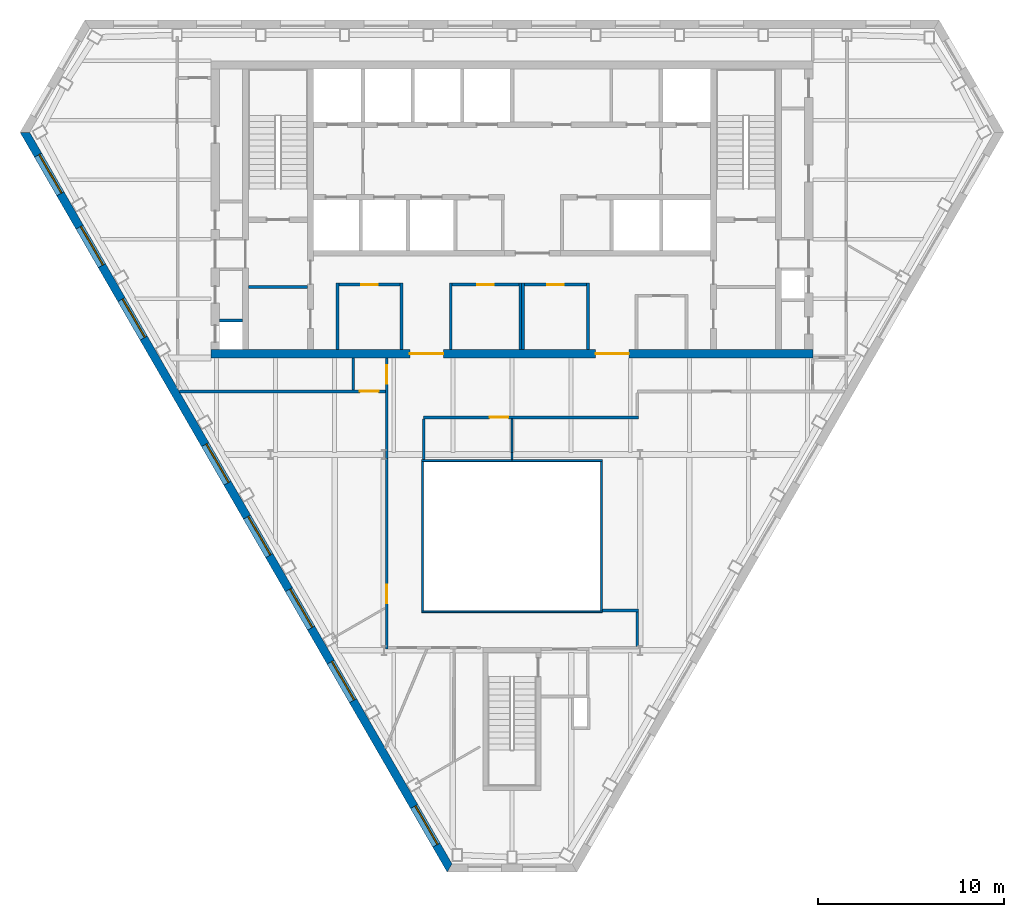
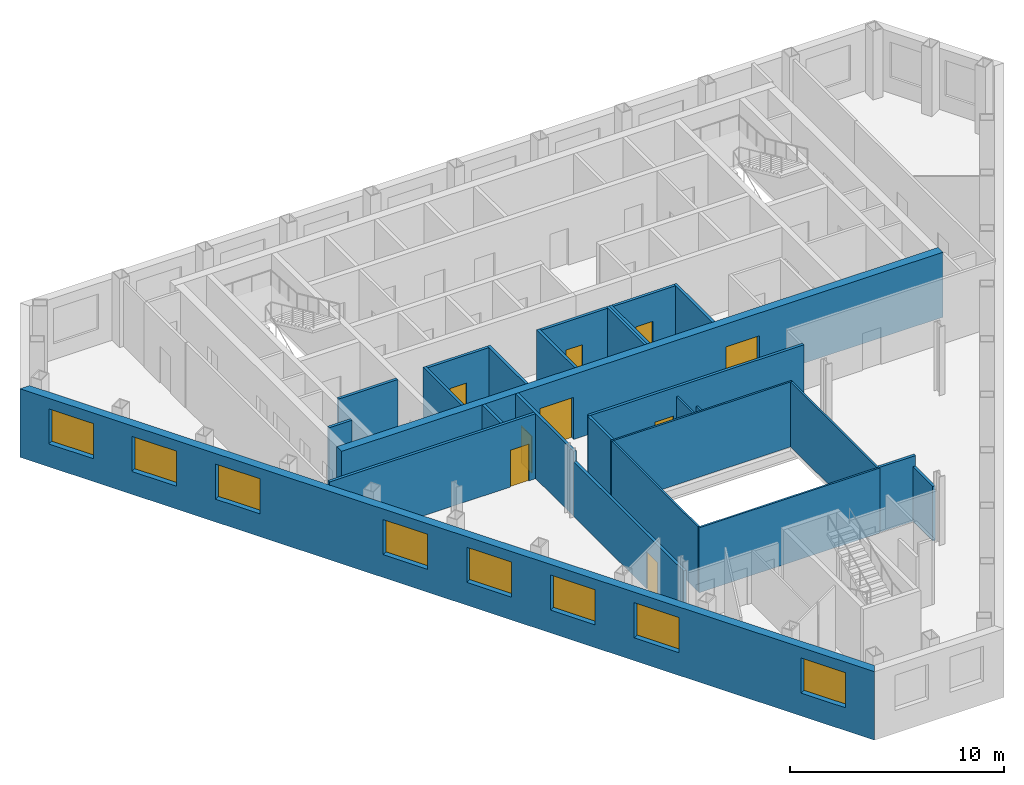
# One storey, part 4 of 11: 27 walls, 9 doors, 8 windows, 17 openings.
"""IFC4 building model written with IfcOpenShell, lengths in metres."""

from ifc_helpers import new_model, si_unit, direction, frame, frame_2d, origin, place, context, subcontext, project, spatial, polyline, rectangle, outline, extrude, material, layer, layer_set, type_object, element, fill, save


model = new_model("IFC4")

# Units and contexts
model_context = context("Model", 3, precision=1e-05, world=origin(), true_north=direction((0.0, 1.0)))
body_context = subcontext(model_context, "Body", "Model", "MODEL_VIEW")
ifc_project = project(units=[si_unit("LENGTHUNIT", "METRE"), si_unit("AREAUNIT", "SQUARE_METRE"), si_unit("VOLUMEUNIT", "CUBIC_METRE"), si_unit("PLANEANGLEUNIT", "RADIAN"), si_unit("MASSUNIT", "GRAM", prefix="KILO")], contexts=[model_context])

# Site, building, storey
site_placement = place(None, origin())
site = spatial("IfcSite", under=ifc_project, at=site_placement, CompositionType="ELEMENT")
building_placement = place(site_placement, origin())
building = spatial("IfcBuilding", under=site, at=building_placement, Name="Njiva Tower", CompositionType="ELEMENT")
storey_placement = place(building_placement, frame((0.0, 0.0, 219.9)))
storey = spatial("IfcBuildingStorey", under=building, at=storey_placement, Name="L49", CompositionType="ELEMENT", Elevation=219.9)

# Walls
ifc_material_1 = material(Name="Blockwork", Category="masonry")
ifc_layer_1 = layer(ifc_material_1, 0.15)
ifc_layer_set_1 = layer_set([ifc_layer_1], Name="Blockwork")
wall_type_1 = type_object("IfcWallType", Name="WT1 Compartment partition 150", PredefinedType="PARTITIONING", material=ifc_layer_set_1)
wall_1_placement = place(storey_placement, frame((-14.2, 5.825, 0.0), z_axis=(0.0, 0.0, 1.0), x_axis=(1.0, 0.0, 0.0)))
element("IfcWall", 1, at=wall_1_placement, inside=storey, type_object=wall_type_1, Name="Room wall A", PredefinedType="PARTITIONING", context=body_context, shape_type="SweptSolid", body=[
    extrude(rectangle(XDim=3.2, YDim=0.15, at=frame_2d((1.6, 0.0))), origin(), (0.0, 0.0, 1.0), 3.7),
])
for number, where, z_axis, x_axis, name in (
    (2, (-9.4, 2.45, 0.0), (0.0, 0.0, 1.0), (0.0, 1.0, 0.0), "Waiting room wall west"),
    (3, (-5.95, 2.45, 0.0), (0.0, 0.0, 1.0), (0.0, 1.0, 0.0), "Waiting room wall east"),
):
    element("IfcWall", number, at=place(storey_placement, frame(where, z_axis=z_axis, x_axis=x_axis)), inside=storey, type_object=wall_type_1, Name=name, PredefinedType="PARTITIONING", context=body_context, shape_type="SweptSolid", body=[
        extrude(rectangle(XDim=3.575, YDim=0.15, at=frame_2d((1.7875, 0.0))), origin(), (0.0, 0.0, 1.0), 3.7),
    ])

# Wall, opening, door
wall_2_placement = place(storey_placement, frame((-9.325, 5.95, 0.0), z_axis=(0.0, 0.0, 1.0), x_axis=(1.0, 0.0, 0.0)))
wall_2 = element("IfcWall", 4, at=wall_2_placement, inside=storey, type_object=wall_type_1, Name="Waiting room wall north", PredefinedType="PARTITIONING", context=body_context, shape_type="SweptSolid", body=[
    extrude(rectangle(XDim=3.3, YDim=0.15, at=frame_2d((1.65, 0.0))), origin(), (0.0, 0.0, 1.0), 3.7),
])
opening_1_placement = place(wall_2_placement, frame((1.2, 0.0, 0.0)))
opening_1 = element("IfcOpeningElement", 5, at=opening_1_placement, cuts=wall_2, Name="Opening S16-D933", PredefinedType="OPENING", context=body_context, shape_type="SweptSolid", body=[
    extrude(rectangle(XDim=0.9, YDim=2.1, at=frame_2d((0.45, 1.05))), frame((0.0, 0.085, 0.0), z_axis=(0.0, -1.0, 0.0), x_axis=(1.0, 0.0, 0.0)), (0.0, 0.0, 1.0), 0.17),
])
ifc_material_2 = material(Name="Steel fire door, painted", Category="steel")
door_type_1 = type_object("IfcDoorType", Name="D6 Fire-rated door 900x2100", OperationType="SINGLE_SWING_LEFT", PredefinedType="DOOR", material=ifc_material_2)
door_1_placement = place(opening_1_placement, origin())
door_1 = element("IfcDoor", 6, at=door_1_placement, inside=storey, type_object=door_type_1, Name="Waiting room door", OperationType="SINGLE_SWING_RIGHT", OverallHeight=2.1, OverallWidth=0.9, PredefinedType="DOOR", context=body_context, shape_type="SweptSolid", body=[
    extrude(rectangle(XDim=0.9, YDim=2.1, at=frame_2d((0.45, 1.05))), frame((0.0, 0.025, 0.0), z_axis=(0.0, -1.0, 0.0), x_axis=(1.0, 0.0, 0.0)), (0.0, 0.0, 1.0), 0.05),
])
fill(opening_1, door_1)

# Walls
for number, where, z_axis, x_axis, name in (
    (7, (-3.3, 2.45, 0.0), (0.0, 0.0, 1.0), (0.0, 1.0, 0.0), "First aid room wall west"),
    (8, (0.45, 2.45, 0.0), (0.0, 0.0, 1.0), (0.0, 1.0, 0.0), "First aid room wall east"),
):
    element("IfcWall", number, at=place(storey_placement, frame(where, z_axis=z_axis, x_axis=x_axis)), inside=storey, type_object=wall_type_1, Name=name, PredefinedType="PARTITIONING", context=body_context, shape_type="SweptSolid", body=[
        extrude(rectangle(XDim=3.575, YDim=0.15, at=frame_2d((1.7875, 0.0))), origin(), (0.0, 0.0, 1.0), 3.7),
    ])

# Wall, opening, door
wall_3_placement = place(storey_placement, frame((-3.225, 5.95, 0.0), z_axis=(0.0, 0.0, 1.0), x_axis=(1.0, 0.0, 0.0)))
wall_3 = element("IfcWall", 9, at=wall_3_placement, inside=storey, type_object=wall_type_1, Name="First aid room wall north", PredefinedType="PARTITIONING", context=body_context, shape_type="SweptSolid", body=[
    extrude(rectangle(XDim=3.6, YDim=0.15, at=frame_2d((1.8, 0.0))), origin(), (0.0, 0.0, 1.0), 3.7),
])
opening_2_placement = place(wall_3_placement, frame((1.35, 0.0, 0.0)))
opening_2 = element("IfcOpeningElement", 10, at=opening_2_placement, cuts=wall_3, Name="Opening S16-D934", PredefinedType="OPENING", context=body_context, shape_type="SweptSolid", body=[
    extrude(rectangle(XDim=0.9, YDim=2.1, at=frame_2d((0.45, 1.05))), frame((0.0, 0.085, 0.0), z_axis=(0.0, -1.0, 0.0), x_axis=(1.0, 0.0, 0.0)), (0.0, 0.0, 1.0), 0.17),
])
door_2_placement = place(opening_2_placement, origin())
door_2 = element("IfcDoor", 11, at=door_2_placement, inside=storey, type_object=door_type_1, Name="First aid room door", OperationType="SINGLE_SWING_LEFT", OverallHeight=2.1, OverallWidth=0.9, PredefinedType="DOOR", context=body_context, shape_type="SweptSolid", body=[
    extrude(rectangle(XDim=0.9, YDim=2.1, at=frame_2d((0.45, 1.05))), frame((0.0, 0.025, 0.0), z_axis=(0.0, -1.0, 0.0), x_axis=(1.0, 0.0, 0.0)), (0.0, 0.0, 1.0), 0.05),
])
fill(opening_2, door_2)

# Walls
for number, where, z_axis, x_axis, name in (
    (12, (0.6, 2.45, 0.0), (0.0, 0.0, 1.0), (0.0, 1.0, 0.0), "Parcel room wall west"),
    (13, (4.1, 2.45, 0.0), (0.0, 0.0, 1.0), (0.0, 1.0, 0.0), "Parcel room wall east"),
):
    element("IfcWall", number, at=place(storey_placement, frame(where, z_axis=z_axis, x_axis=x_axis)), inside=storey, type_object=wall_type_1, Name=name, PredefinedType="PARTITIONING", context=body_context, shape_type="SweptSolid", body=[
        extrude(rectangle(XDim=3.575, YDim=0.15, at=frame_2d((1.7875, 0.0))), origin(), (0.0, 0.0, 1.0), 3.7),
    ])

# Wall, opening, door
wall_4_placement = place(storey_placement, frame((0.675, 5.95, 0.0), z_axis=(0.0, 0.0, 1.0), x_axis=(1.0, 0.0, 0.0)))
wall_4 = element("IfcWall", 14, at=wall_4_placement, inside=storey, type_object=wall_type_1, Name="Parcel room wall north", PredefinedType="PARTITIONING", context=body_context, shape_type="SweptSolid", body=[
    extrude(rectangle(XDim=3.35, YDim=0.15, at=frame_2d((1.675, 0.0))), origin(), (0.0, 0.0, 1.0), 3.7),
])
opening_3_placement = place(wall_4_placement, frame((1.225, 0.0, 0.0)))
opening_3 = element("IfcOpeningElement", 15, at=opening_3_placement, cuts=wall_4, Name="Opening S16-D935", PredefinedType="OPENING", context=body_context, shape_type="SweptSolid", body=[
    extrude(rectangle(XDim=0.9, YDim=2.1, at=frame_2d((0.45, 1.05))), frame((0.0, 0.085, 0.0), z_axis=(0.0, -1.0, 0.0), x_axis=(1.0, 0.0, 0.0)), (0.0, 0.0, 1.0), 0.17),
])
door_3_placement = place(opening_3_placement, origin())
door_3 = element("IfcDoor", 16, at=door_3_placement, inside=storey, type_object=door_type_1, Name="Parcel room door", OperationType="SINGLE_SWING_LEFT", OverallHeight=2.1, OverallWidth=0.9, PredefinedType="DOOR", context=body_context, shape_type="SweptSolid", body=[
    extrude(rectangle(XDim=0.9, YDim=2.1, at=frame_2d((0.45, 1.05))), frame((0.0, 0.025, 0.0), z_axis=(0.0, -1.0, 0.0), x_axis=(1.0, 0.0, 0.0)), (0.0, 0.0, 1.0), 0.05),
])
fill(opening_3, door_3)

# Wall, openings, doors
ifc_material_3 = material(Name="Concrete C60/75", Category="concrete")
ifc_layer_2 = layer(ifc_material_3, 0.45)
ifc_layer_set_2 = layer_set([ifc_layer_2], Name="Concrete C60/75")
wall_type_2 = type_object("IfcWallType", Name="WT12 Core wall 450", PredefinedType="SHEAR", material=ifc_layer_set_2)
wall_5_placement = place(storey_placement, frame((-16.2, 2.225, 0.0), z_axis=(0.0, 0.0, 1.0), x_axis=(1.0, 0.0, 0.0)))
wall_5 = element("IfcWall", 17, at=wall_5_placement, inside=storey, type_object=wall_type_2, Name="Core wall south", PredefinedType="SHEAR", context=body_context, shape_type="SweptSolid", body=[
    extrude(rectangle(XDim=32.4, YDim=0.45, at=frame_2d((16.2, 0.0))), origin(), (0.0, 0.0, 1.0), 3.7),
])
opening_4_placement = place(wall_5_placement, frame((10.7, 0.0, 0.0)))
opening_4 = element("IfcOpeningElement", 18, at=opening_4_placement, cuts=wall_5, Name="Opening S16-D938", PredefinedType="OPENING", context=body_context, shape_type="SweptSolid", body=[
    extrude(rectangle(XDim=1.8, YDim=2.4, at=frame_2d((0.9, 1.2))), frame((0.0, 0.235, 0.0), z_axis=(0.0, -1.0, 0.0), x_axis=(1.0, 0.0, 0.0)), (0.0, 0.0, 1.0), 0.47),
])
opening_5_placement = place(wall_5_placement, frame((20.7, 0.0, 0.0)))
opening_5 = element("IfcOpeningElement", 19, at=opening_5_placement, cuts=wall_5, Name="Opening S16-D939", PredefinedType="OPENING", context=body_context, shape_type="SweptSolid", body=[
    extrude(rectangle(XDim=1.8, YDim=2.4, at=frame_2d((0.9, 1.2))), frame((0.0, 0.235, 0.0), z_axis=(0.0, -1.0, 0.0), x_axis=(1.0, 0.0, 0.0)), (0.0, 0.0, 1.0), 0.47),
])
ifc_material_4 = material(Name="Steel and glass door", Category="steel")
door_type_2 = type_object("IfcDoorType", Name="D3 Core entrance door 1800x2400", OperationType="DOUBLE_DOOR_SINGLE_SWING", PredefinedType="DOOR", material=ifc_material_4)
door_4_placement = place(opening_4_placement, origin())
door_4 = element("IfcDoor", 20, at=door_4_placement, inside=storey, type_object=door_type_2, Name="Core entrance door", OperationType="DOUBLE_DOOR_SINGLE_SWING", OverallHeight=2.4, OverallWidth=1.8, PredefinedType="DOOR", context=body_context, shape_type="SweptSolid", body=[
    extrude(rectangle(XDim=1.8, YDim=2.4, at=frame_2d((0.9, 1.2))), frame((0.0, 0.025, 0.0), z_axis=(0.0, -1.0, 0.0), x_axis=(1.0, 0.0, 0.0)), (0.0, 0.0, 1.0), 0.05),
])
fill(opening_4, door_4)
door_5_placement = place(opening_5_placement, origin())
door_5 = element("IfcDoor", 21, at=door_5_placement, inside=storey, type_object=door_type_2, Name="Core entrance door", OperationType="DOUBLE_DOOR_SINGLE_SWING", OverallHeight=2.4, OverallWidth=1.8, PredefinedType="DOOR", context=body_context, shape_type="SweptSolid", body=[
    extrude(rectangle(XDim=1.8, YDim=2.4, at=frame_2d((0.9, 1.2))), frame((0.0, 0.025, 0.0), z_axis=(0.0, -1.0, 0.0), x_axis=(1.0, 0.0, 0.0)), (0.0, 0.0, 1.0), 0.05),
])
fill(opening_5, door_5)

# Walls
ifc_material_5 = material(Name="Gypsum board on steel studs", Category="gypsum")
ifc_layer_3 = layer(ifc_material_5, 0.1)
ifc_layer_set_3 = layer_set([ifc_layer_3], Name="Gypsum board on steel studs")
wall_type_3 = type_object("IfcWallType", Name="WT20 Gypsum partition 100", PredefinedType="PARTITIONING", material=ifc_layer_set_3)
wall_6_placement = place(storey_placement, frame((-0.001, -1.275, 0.0), z_axis=(0.0, 0.0, 1.0), x_axis=(0.000438356122, -0.999999903922, 0.0)))
element("IfcWall", 22, at=wall_6_placement, inside=storey, type_object=wall_type_3, Name="Partition S16-P016", PredefinedType="PARTITIONING", context=body_context, shape_type="SweptSolid", body=[
    extrude(rectangle(XDim=1.825, YDim=0.1, at=frame_2d((0.9125, 0.0))), origin(), (0.0, 0.0, 1.0), 3.15),
])
wall_7_placement = place(storey_placement, frame((-0.0002, -3.1, 0.0), z_axis=(0.0, 0.0, 1.0), x_axis=(0.000526315717, -0.999999861496, 0.0)))
element("IfcWall", 23, at=wall_7_placement, inside=storey, type_object=wall_type_3, Name="Partition S16-P016A", PredefinedType="PARTITIONING", context=body_context, shape_type="SweptSolid", body=[
    extrude(rectangle(XDim=0.38, YDim=0.1, at=frame_2d((0.19, 0.0))), origin(), (0.0, 0.0, 1.0), 3.7),
])

# Wall, opening, door
ifc_layer_4 = layer(ifc_material_5, 0.15)
ifc_layer_set_4 = layer_set([ifc_layer_4], Name="Gypsum board on steel studs")
wall_type_4 = type_object("IfcWallType", Name="WT21 Compartment wall 150", PredefinedType="PARTITIONING", material=ifc_layer_set_4)
wall_8_placement = place(storey_placement, frame((-17.918, 0.2, 0.0), z_axis=(0.0, 0.0, 1.0), x_axis=(0.999999995937, 9.0146939e-05, 0.0)))
wall_8 = element("IfcWall", 24, at=wall_8_placement, inside=storey, type_object=wall_type_4, Name="Partition S16-P005", PredefinedType="PARTITIONING", context=body_context, shape_type="SweptSolid", body=[
    extrude(rectangle(XDim=11.093, YDim=0.15, at=frame_2d((5.5465, 0.0))), origin(), (0.0, 0.0, 1.0), 3.7),
])
opening_6_placement = place(wall_8_placement, frame((9.73, 0.0, 0.0)))
opening_6 = element("IfcOpeningElement", 25, at=opening_6_placement, cuts=wall_8, Name="Opening S16-D004", PredefinedType="OPENING", context=body_context, shape_type="SweptSolid", body=[
    extrude(rectangle(XDim=1.0, YDim=2.1, at=frame_2d((0.5, 1.05))), frame((0.0, 0.085, 0.0), z_axis=(0.0, -1.0, 0.0), x_axis=(1.0, 0.0, 0.0)), (0.0, 0.0, 1.0), 0.17),
])
ifc_material_6 = material(Name="Steel fire door set", Category="steel")
door_type_3 = type_object("IfcDoorType", Name="D37 Fire door 1000x2100", OperationType="SINGLE_SWING_LEFT", PredefinedType="DOOR", material=ifc_material_6)
door_6_placement = place(opening_6_placement, origin())
door_6 = element("IfcDoor", 26, at=door_6_placement, inside=storey, type_object=door_type_3, Name="Door S16-D004", OperationType="SINGLE_SWING_RIGHT", OverallHeight=2.1, OverallWidth=1.0, PredefinedType="DOOR", context=body_context, shape_type="SweptSolid", body=[
    extrude(rectangle(XDim=1.0, YDim=2.1, at=frame_2d((0.5, 1.05))), frame((0.0, 0.025, 0.0), z_axis=(0.0, -1.0, 0.0), x_axis=(1.0, 0.0, 0.0)), (0.0, 0.0, 1.0), 0.05),
])
fill(opening_6, door_6)

# Wall
wall_9_placement = place(storey_placement, frame((-8.55, 0.276, 0.0), z_axis=(0.0, 0.0, 1.0), x_axis=(0.0, 1.0, 0.0)))
element("IfcWall", 27, at=wall_9_placement, inside=storey, type_object=wall_type_4, Name="Partition S16-P007", PredefinedType="PARTITIONING", context=body_context, shape_type="SweptSolid", body=[
    extrude(rectangle(XDim=1.723, YDim=0.15, at=frame_2d((0.8615, 0.0))), origin(), (0.0, 0.0, 1.0), 3.7),
])

# Wall, opening, door
wall_10_placement = place(storey_placement, frame((-6.75, -13.675, 0.0), z_axis=(0.0, 0.0, 1.0), x_axis=(0.0, 1.0, 0.0)))
wall_10 = element("IfcWall", 28, at=wall_10_placement, inside=storey, type_object=wall_type_4, Name="Partition S16-P009", PredefinedType="PARTITIONING", context=body_context, shape_type="SweptSolid", body=[
    extrude(rectangle(XDim=10.263, YDim=0.15, at=frame_2d((5.1315, 0.0))), origin(), (0.0, 0.0, 1.0), 3.11),
])
opening_7_placement = place(wall_10_placement, frame((2.455, 0.0, 0.0)))
opening_7 = element("IfcOpeningElement", 29, at=opening_7_placement, cuts=wall_10, Name="Opening S16-D005", PredefinedType="OPENING", context=body_context, shape_type="SweptSolid", body=[
    extrude(rectangle(XDim=1.0, YDim=2.1, at=frame_2d((0.5, 1.05))), frame((0.0, 0.085, 0.0), z_axis=(0.0, -1.0, 0.0), x_axis=(1.0, 0.0, 0.0)), (0.0, 0.0, 1.0), 0.17),
])
door_7_placement = place(opening_7_placement, origin())
door_7 = element("IfcDoor", 30, at=door_7_placement, inside=storey, type_object=door_type_3, Name="Door S16-D005", OperationType="SINGLE_SWING_RIGHT", OverallHeight=2.1, OverallWidth=1.0, PredefinedType="DOOR", context=body_context, shape_type="SweptSolid", body=[
    extrude(rectangle(XDim=1.0, YDim=2.1, at=frame_2d((0.5, 1.05))), frame((0.0, 0.025, 0.0), z_axis=(0.0, -1.0, 0.0), x_axis=(1.0, 0.0, 0.0)), (0.0, 0.0, 1.0), 0.05),
])
fill(opening_7, door_7)

wall_11_placement = place(storey_placement, frame((-6.75, -3.412, 0.0), z_axis=(0.0, 0.0, 1.0), x_axis=(0.0, 1.0, 0.0)))
wall_11 = element("IfcWall", 31, at=wall_11_placement, inside=storey, type_object=wall_type_4, Name="Partition S16-P009A", PredefinedType="PARTITIONING", context=body_context, shape_type="SweptSolid", body=[
    extrude(rectangle(XDim=5.412, YDim=0.15, at=frame_2d((2.706, 0.0))), origin(), (0.0, 0.0, 1.0), 3.7),
])
opening_8_placement = place(wall_11_placement, frame((4.012, 0.0, 0.0)))
opening_8 = element("IfcOpeningElement", 32, at=opening_8_placement, cuts=wall_11, Name="Opening S16-D006", PredefinedType="OPENING", context=body_context, shape_type="SweptSolid", body=[
    extrude(rectangle(XDim=1.0, YDim=2.1, at=frame_2d((0.5, 1.05))), frame((0.0, 0.085, 0.0), z_axis=(0.0, -1.0, 0.0), x_axis=(1.0, 0.0, 0.0)), (0.0, 0.0, 1.0), 0.17),
])
door_8_placement = place(opening_8_placement, origin())
door_8 = element("IfcDoor", 33, at=door_8_placement, inside=storey, type_object=door_type_3, Name="Door S16-D006", OperationType="SINGLE_SWING_LEFT", OverallHeight=2.1, OverallWidth=1.0, PredefinedType="DOOR", context=body_context, shape_type="SweptSolid", body=[
    extrude(rectangle(XDim=1.0, YDim=2.1, at=frame_2d((0.5, 1.05))), frame((0.0, 0.025, 0.0), z_axis=(0.0, -1.0, 0.0), x_axis=(1.0, 0.0, 0.0)), (0.0, 0.0, 1.0), 0.05),
])
fill(opening_8, door_8)

wall_12_placement = place(storey_placement, frame((-4.762, -1.2, 0.0), z_axis=(0.0, 0.0, 1.0), x_axis=(1.0, 0.0, 0.0)))
wall_12 = element("IfcWall", 34, at=wall_12_placement, inside=storey, type_object=wall_type_4, Name="Partition S16-P012", PredefinedType="PARTITIONING", context=body_context, shape_type="SweptSolid", body=[
    extrude(rectangle(XDim=11.587, YDim=0.15, at=frame_2d((5.7935, 0.0))), origin(), (0.0, 0.0, 1.0), 3.7),
])
opening_9_placement = place(wall_12_placement, frame((3.561, 0.0, 0.0)))
opening_9 = element("IfcOpeningElement", 35, at=opening_9_placement, cuts=wall_12, Name="Opening S16-D010", PredefinedType="OPENING", context=body_context, shape_type="SweptSolid", body=[
    extrude(rectangle(XDim=1.0, YDim=2.1, at=frame_2d((0.5, 1.05))), frame((0.0, 0.085, 0.0), z_axis=(0.0, -1.0, 0.0), x_axis=(1.0, 0.0, 0.0)), (0.0, 0.0, 1.0), 0.17),
])
door_9_placement = place(opening_9_placement, origin())
door_9 = element("IfcDoor", 36, at=door_9_placement, inside=storey, type_object=door_type_3, Name="Door S16-D010", OperationType="SINGLE_SWING_LEFT", OverallHeight=2.1, OverallWidth=1.0, PredefinedType="DOOR", context=body_context, shape_type="SweptSolid", body=[
    extrude(rectangle(XDim=1.0, YDim=2.1, at=frame_2d((0.5, 1.05))), frame((0.0, 0.025, 0.0), z_axis=(0.0, -1.0, 0.0), x_axis=(1.0, 0.0, 0.0)), (0.0, 0.0, 1.0), 0.05),
])
fill(opening_9, door_9)

# Walls
wall_13_placement = place(storey_placement, frame((-4.75, -1.275, 0.0), z_axis=(0.0, 0.0, 1.0), x_axis=(0.000453514693, -0.999999897162, 0.0)))
element("IfcWall", 37, at=wall_13_placement, inside=storey, type_object=wall_type_4, Name="Partition S16-P013", PredefinedType="PARTITIONING", context=body_context, shape_type="SweptSolid", body=[
    extrude(rectangle(XDim=2.205, YDim=0.15, at=frame_2d((1.1025, 0.0))), origin(), (0.0, 0.0, 1.0), 3.7),
])
wall_14_placement = place(storey_placement, frame((4.87, -11.6, 0.0), z_axis=(0.0, 0.0, 1.0), x_axis=(1.0, 0.0, 0.0)))
element("IfcWall", 38, at=wall_14_placement, inside=storey, type_object=wall_type_4, Name="Partition S16-P018", PredefinedType="PARTITIONING", context=body_context, shape_type="SweptSolid", body=[
    extrude(rectangle(XDim=1.955, YDim=0.15, at=frame_2d((0.9775, 0.0))), origin(), (0.0, 0.0, 1.0), 3.7),
])
wall_15_placement = place(storey_placement, frame((6.75, -13.525, 0.0), z_axis=(0.0, 0.0, 1.0), x_axis=(0.0, 1.0, 0.0)))
element("IfcWall", 39, at=wall_15_placement, inside=storey, type_object=wall_type_4, Name="Partition S16-P019", PredefinedType="PARTITIONING", context=body_context, shape_type="SweptSolid", body=[
    extrude(rectangle(XDim=1.85, YDim=0.15, at=frame_2d((0.925, 0.0))), origin(), (0.0, 0.0, 1.0), 3.11),
])
ifc_layer_5 = layer(ifc_material_1, 0.15)
ifc_layer_set_5 = layer_set([ifc_layer_5], Name="Blockwork")
wall_type_5 = type_object("IfcWallType", Name="WT3 Riser partition 150", PredefinedType="PARTITIONING", material=ifc_layer_set_5)
wall_16_placement = place(storey_placement, frame((-15.75, 4.025, 0.0), z_axis=(0.0, 0.0, 1.0), x_axis=(1.0, 0.0, 0.0)))
element("IfcWall", 40, at=wall_16_placement, inside=storey, type_object=wall_type_5, Name="Partition strip W00", PredefinedType="PARTITIONING", context=body_context, shape_type="SweptSolid", body=[
    extrude(rectangle(XDim=1.25, YDim=0.15, at=frame_2d((0.625, 0.0))), origin(), (0.0, 0.0, 1.0), 3.7),
])

# Wall, openings, windows
ifc_material_7 = material(Name="Brick masonry", Category="masonry")
ifc_layer_6 = layer(ifc_material_7, 0.45)
ifc_layer_set_6 = layer_set([ifc_layer_6], Name="Brick masonry")
wall_type_6 = type_object("IfcWallType", Name="WT90 Brick pier and spandrel wall 450", PredefinedType="SOLIDWALL", material=ifc_layer_set_6)
wall_17_placement = place(storey_placement, frame((-26.2352, 14.1551, -0.4), z_axis=(0.0, 0.0, 1.0), x_axis=(0.500000335318, -0.866025210188, 0.0)))
wall_17 = element("IfcWall", 41, at=wall_17_placement, inside=storey, type_object=wall_type_6, Name="Facade wall SW", PredefinedType="SOLIDWALL", context=body_context, shape_type="SweptSolid", body=[
    extrude(outline(polyline([(-0.1299, -0.225), (45.8801, -0.225), (45.6203, 0.225), (0.1299, 0.225), (-0.1299, -0.225)])), origin(), (0.0, 0.0, 1.0), 3.9),
])
opening_10_placement = place(wall_17_placement, frame((1.4247, 0.0, 1.3)))
opening_10 = element("IfcOpeningElement", 42, at=opening_10_placement, cuts=wall_17, Name="Opening S16-W12", PredefinedType="OPENING", context=body_context, shape_type="SweptSolid", body=[
    extrude(rectangle(XDim=2.4, YDim=2.0, at=frame_2d((1.2, 1.0))), frame((0.0, 0.235, 0.0), z_axis=(0.0, -1.0, 0.0), x_axis=(1.0, 0.0, 0.0)), (0.0, 0.0, 1.0), 0.47),
])
opening_11_placement = place(wall_17_placement, frame((5.8949, 0.0, 1.3)))
opening_11 = element("IfcOpeningElement", 43, at=opening_11_placement, cuts=wall_17, Name="Opening S16-W13", PredefinedType="OPENING", context=body_context, shape_type="SweptSolid", body=[
    extrude(rectangle(XDim=2.4, YDim=2.0, at=frame_2d((1.2, 1.0))), frame((0.0, 0.235, 0.0), z_axis=(0.0, -1.0, 0.0), x_axis=(1.0, 0.0, 0.0)), (0.0, 0.0, 1.0), 0.47),
])
opening_12_placement = place(wall_17_placement, frame((10.4035, 0.0, 1.3)))
opening_12 = element("IfcOpeningElement", 44, at=opening_12_placement, cuts=wall_17, Name="Opening S16-W14", PredefinedType="OPENING", context=body_context, shape_type="SweptSolid", body=[
    extrude(rectangle(XDim=2.4, YDim=2.0, at=frame_2d((1.2, 1.0))), frame((0.0, 0.235, 0.0), z_axis=(0.0, -1.0, 0.0), x_axis=(1.0, 0.0, 0.0)), (0.0, 0.0, 1.0), 0.47),
])
opening_13_placement = place(wall_17_placement, frame((19.4208, 0.0, 1.3)))
opening_13 = element("IfcOpeningElement", 45, at=opening_13_placement, cuts=wall_17, Name="Opening S16-W15", PredefinedType="OPENING", context=body_context, shape_type="SweptSolid", body=[
    extrude(rectangle(XDim=2.4, YDim=2.0, at=frame_2d((1.2, 1.0))), frame((0.0, 0.235, 0.0), z_axis=(0.0, -1.0, 0.0), x_axis=(1.0, 0.0, 0.0)), (0.0, 0.0, 1.0), 0.47),
])
opening_14_placement = place(wall_17_placement, frame((23.9294, 0.0, 1.3)))
opening_14 = element("IfcOpeningElement", 46, at=opening_14_placement, cuts=wall_17, Name="Opening S16-W16", PredefinedType="OPENING", context=body_context, shape_type="SweptSolid", body=[
    extrude(rectangle(XDim=2.4, YDim=2.0, at=frame_2d((1.2, 1.0))), frame((0.0, 0.235, 0.0), z_axis=(0.0, -1.0, 0.0), x_axis=(1.0, 0.0, 0.0)), (0.0, 0.0, 1.0), 0.47),
])
opening_15_placement = place(wall_17_placement, frame((28.438, 0.0, 1.3)))
opening_15 = element("IfcOpeningElement", 47, at=opening_15_placement, cuts=wall_17, Name="Opening S16-W17", PredefinedType="OPENING", context=body_context, shape_type="SweptSolid", body=[
    extrude(rectangle(XDim=2.4, YDim=2.0, at=frame_2d((1.2, 1.0))), frame((0.0, 0.235, 0.0), z_axis=(0.0, -1.0, 0.0), x_axis=(1.0, 0.0, 0.0)), (0.0, 0.0, 1.0), 0.47),
])
opening_16_placement = place(wall_17_placement, frame((32.9466, 0.0, 1.3)))
opening_16 = element("IfcOpeningElement", 48, at=opening_16_placement, cuts=wall_17, Name="Opening S16-W18", PredefinedType="OPENING", context=body_context, shape_type="SweptSolid", body=[
    extrude(rectangle(XDim=2.4, YDim=2.0, at=frame_2d((1.2, 1.0))), frame((0.0, 0.235, 0.0), z_axis=(0.0, -1.0, 0.0), x_axis=(1.0, 0.0, 0.0)), (0.0, 0.0, 1.0), 0.47),
])
opening_17_placement = place(wall_17_placement, frame((41.9255, 0.0, 1.3)))
opening_17 = element("IfcOpeningElement", 49, at=opening_17_placement, cuts=wall_17, Name="Opening S16-W19", PredefinedType="OPENING", context=body_context, shape_type="SweptSolid", body=[
    extrude(rectangle(XDim=2.4, YDim=2.0, at=frame_2d((1.2, 1.0))), frame((0.0, 0.235, 0.0), z_axis=(0.0, -1.0, 0.0), x_axis=(1.0, 0.0, 0.0)), (0.0, 0.0, 1.0), 0.47),
])
ifc_material_8 = material(Name="Clear glazing in aluminium frame", Category="aluminium")
window_type = type_object("IfcWindowType", Name="W90 Deep-set window 2400x2000", PartitioningType="SINGLE_PANEL", PredefinedType="WINDOW", material=ifc_material_8)
window_1_placement = place(opening_10_placement, origin())
window_1 = element("IfcWindow", 50, at=window_1_placement, inside=storey, type_object=window_type, Name="Window", OverallHeight=2.0, OverallWidth=2.4, PartitioningType="SINGLE_PANEL", PredefinedType="WINDOW", context=body_context, shape_type="SweptSolid", body=[
    extrude(rectangle(XDim=2.4, YDim=2.0, at=frame_2d((1.2, 1.0))), frame((0.0, 0.105, 0.0), z_axis=(0.0, -1.0, 0.0), x_axis=(1.0, 0.0, 0.0)), (0.0, 0.0, 1.0), 0.06),
])
fill(opening_10, window_1)
window_2_placement = place(opening_11_placement, origin())
window_2 = element("IfcWindow", 51, at=window_2_placement, inside=storey, type_object=window_type, Name="Window", OverallHeight=2.0, OverallWidth=2.4, PartitioningType="SINGLE_PANEL", PredefinedType="WINDOW", context=body_context, shape_type="SweptSolid", body=[
    extrude(rectangle(XDim=2.4, YDim=2.0, at=frame_2d((1.2, 1.0))), frame((0.0, 0.105, 0.0), z_axis=(0.0, -1.0, 0.0), x_axis=(1.0, 0.0, 0.0)), (0.0, 0.0, 1.0), 0.06),
])
fill(opening_11, window_2)
window_3_placement = place(opening_12_placement, origin())
window_3 = element("IfcWindow", 52, at=window_3_placement, inside=storey, type_object=window_type, Name="Window", OverallHeight=2.0, OverallWidth=2.4, PartitioningType="SINGLE_PANEL", PredefinedType="WINDOW", context=body_context, shape_type="SweptSolid", body=[
    extrude(rectangle(XDim=2.4, YDim=2.0, at=frame_2d((1.2, 1.0))), frame((0.0, 0.105, 0.0), z_axis=(0.0, -1.0, 0.0), x_axis=(1.0, 0.0, 0.0)), (0.0, 0.0, 1.0), 0.06),
])
fill(opening_12, window_3)
window_4_placement = place(opening_13_placement, origin())
window_4 = element("IfcWindow", 53, at=window_4_placement, inside=storey, type_object=window_type, Name="Window", OverallHeight=2.0, OverallWidth=2.4, PartitioningType="SINGLE_PANEL", PredefinedType="WINDOW", context=body_context, shape_type="SweptSolid", body=[
    extrude(rectangle(XDim=2.4, YDim=2.0, at=frame_2d((1.2, 1.0))), frame((0.0, 0.105, 0.0), z_axis=(0.0, -1.0, 0.0), x_axis=(1.0, 0.0, 0.0)), (0.0, 0.0, 1.0), 0.06),
])
fill(opening_13, window_4)
window_5_placement = place(opening_14_placement, origin())
window_5 = element("IfcWindow", 54, at=window_5_placement, inside=storey, type_object=window_type, Name="Window", OverallHeight=2.0, OverallWidth=2.4, PartitioningType="SINGLE_PANEL", PredefinedType="WINDOW", context=body_context, shape_type="SweptSolid", body=[
    extrude(rectangle(XDim=2.4, YDim=2.0, at=frame_2d((1.2, 1.0))), frame((0.0, 0.105, 0.0), z_axis=(0.0, -1.0, 0.0), x_axis=(1.0, 0.0, 0.0)), (0.0, 0.0, 1.0), 0.06),
])
fill(opening_14, window_5)
window_6_placement = place(opening_15_placement, origin())
window_6 = element("IfcWindow", 55, at=window_6_placement, inside=storey, type_object=window_type, Name="Window", OverallHeight=2.0, OverallWidth=2.4, PartitioningType="SINGLE_PANEL", PredefinedType="WINDOW", context=body_context, shape_type="SweptSolid", body=[
    extrude(rectangle(XDim=2.4, YDim=2.0, at=frame_2d((1.2, 1.0))), frame((0.0, 0.105, 0.0), z_axis=(0.0, -1.0, 0.0), x_axis=(1.0, 0.0, 0.0)), (0.0, 0.0, 1.0), 0.06),
])
fill(opening_15, window_6)
window_7_placement = place(opening_16_placement, origin())
window_7 = element("IfcWindow", 56, at=window_7_placement, inside=storey, type_object=window_type, Name="Window", OverallHeight=2.0, OverallWidth=2.4, PartitioningType="SINGLE_PANEL", PredefinedType="WINDOW", context=body_context, shape_type="SweptSolid", body=[
    extrude(rectangle(XDim=2.4, YDim=2.0, at=frame_2d((1.2, 1.0))), frame((0.0, 0.105, 0.0), z_axis=(0.0, -1.0, 0.0), x_axis=(1.0, 0.0, 0.0)), (0.0, 0.0, 1.0), 0.06),
])
fill(opening_16, window_7)
window_8_placement = place(opening_17_placement, origin())
window_8 = element("IfcWindow", 57, at=window_8_placement, inside=storey, type_object=window_type, Name="Window", OverallHeight=2.0, OverallWidth=2.4, PartitioningType="SINGLE_PANEL", PredefinedType="WINDOW", context=body_context, shape_type="SweptSolid", body=[
    extrude(rectangle(XDim=2.4, YDim=2.0, at=frame_2d((1.2, 1.0))), frame((0.0, 0.105, 0.0), z_axis=(0.0, -1.0, 0.0), x_axis=(1.0, 0.0, 0.0)), (0.0, 0.0, 1.0), 0.06),
])
fill(opening_17, window_8)

# Walls
ifc_material_9 = material(Name="Fire-resisting glazing EI 90", Category="glass")
ifc_layer_7 = layer(ifc_material_9, 0.1)
ifc_layer_set_7 = layer_set([ifc_layer_7], Name="Fire-resisting glazing EI 90")
wall_type_7 = type_object("IfcWallType", Name="WT95 Fire-resisting glazed screen EI 90", PredefinedType="PARTITIONING", material=ifc_layer_set_7)
wall_18_placement = place(storey_placement, frame((-4.87, -11.67, 0.0), z_axis=(0.0, 0.0, 1.0), x_axis=(1.0, 0.0, 0.0)))
element("IfcWall", 58, at=wall_18_placement, inside=storey, type_object=wall_type_7, Name="Atrium fire screen south", PredefinedType="PARTITIONING", context=body_context, shape_type="SweptSolid", body=[
    extrude(rectangle(XDim=9.74, YDim=0.1, at=frame_2d((4.87, 0.0))), origin(), (0.0, 0.0, 1.0), 3.7),
])
wall_19_placement = place(storey_placement, frame((4.82, -11.62, 0.0), z_axis=(0.0, 0.0, 1.0), x_axis=(0.0, 1.0, 0.0)))
element("IfcWall", 59, at=wall_19_placement, inside=storey, type_object=wall_type_7, Name="Atrium fire screen east", PredefinedType="PARTITIONING", context=body_context, shape_type="SweptSolid", body=[
    extrude(rectangle(XDim=8.04, YDim=0.1, at=frame_2d((4.02, 0.0))), origin(), (0.0, 0.0, 1.0), 3.7),
])
wall_20_placement = place(storey_placement, frame((4.87, -3.53, 0.0), z_axis=(0.0, 0.0, 1.0), x_axis=(-1.0, 0.0, 0.0)))
element("IfcWall", 60, at=wall_20_placement, inside=storey, type_object=wall_type_7, Name="Atrium fire screen north", PredefinedType="PARTITIONING", context=body_context, shape_type="SweptSolid", body=[
    extrude(rectangle(XDim=9.74, YDim=0.1, at=frame_2d((4.87, 0.0))), origin(), (0.0, 0.0, 1.0), 3.7),
])
wall_21_placement = place(storey_placement, frame((-4.82, -3.58, 0.0), z_axis=(0.0, 0.0, 1.0), x_axis=(0.0, -1.0, 0.0)))
element("IfcWall", 61, at=wall_21_placement, inside=storey, type_object=wall_type_7, Name="Atrium fire screen west", PredefinedType="PARTITIONING", context=body_context, shape_type="SweptSolid", body=[
    extrude(rectangle(XDim=8.04, YDim=0.1, at=frame_2d((4.02, 0.0))), origin(), (0.0, 0.0, 1.0), 3.7),
])

save(model, "model.ifc")
